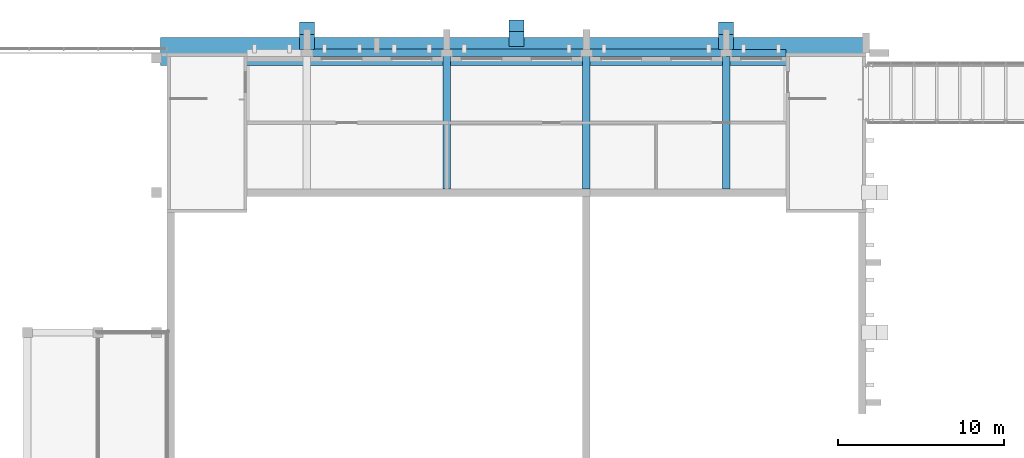
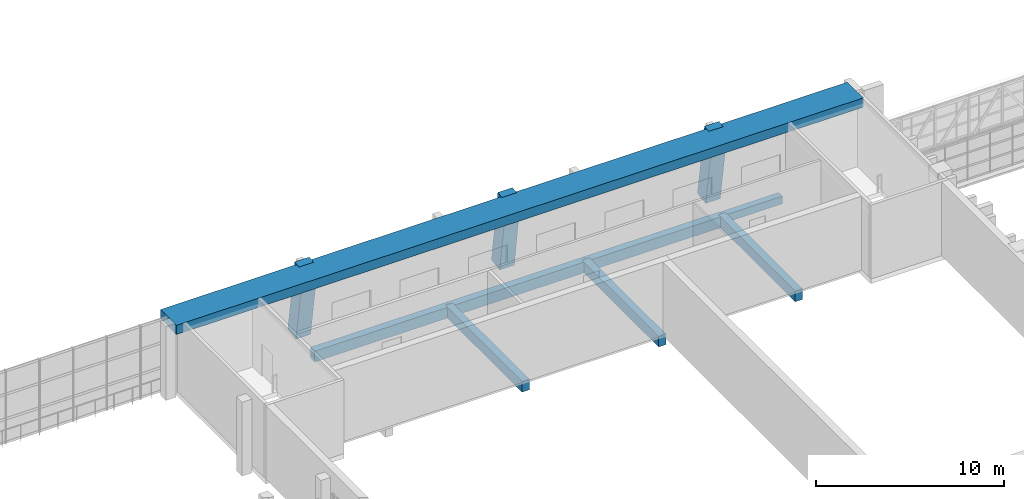
# One storey, part 20 of 86: 8 beams, 3 members.
"""IFC4 building model written with IfcOpenShell, lengths in metres."""

from ifc_helpers import new_model, si_unit, direction, frame, origin, origin_2d, place, context, subcontext, project, spatial, rectangle, extrude, material, material_profile, profile_set, type_object, element, save


model = new_model("IFC4")

# Units and contexts
model_context = context("Model", 3, precision=1e-05, world=origin(), true_north=direction((0.0, 1.0)))
body_context = subcontext(model_context, "Body", "Model", "MODEL_VIEW")
ifc_project = project(units=[si_unit("LENGTHUNIT", "METRE"), si_unit("AREAUNIT", "SQUARE_METRE"), si_unit("VOLUMEUNIT", "CUBIC_METRE"), si_unit("PLANEANGLEUNIT", "RADIAN"), si_unit("MASSUNIT", "GRAM", prefix="KILO")], contexts=[model_context])

# Site, building, storey
site_placement = place(None, origin())
site = spatial("IfcSite", under=ifc_project, at=site_placement, CompositionType="ELEMENT")
building_placement = place(site_placement, origin())
building = spatial("IfcBuilding", under=site, at=building_placement, Name="Kiln Court Media Centre", CompositionType="ELEMENT")
storey_placement = place(building_placement, frame((0.0, 0.0, 10.199951171875)))
storey = spatial("IfcBuildingStorey", under=building, at=storey_placement, Name="L02", CompositionType="ELEMENT", Elevation=10.199951171875)

# Beams
ifc_material_1 = material(Name="Concrete C30/37", Category="concrete")
ifc_material_profile_1 = material_profile(ifc_material_1, rectangle(XDim=0.39990234375, YDim=0.5, at=origin_2d()), Name="RC 400x500")
ifc_profile_set_1 = profile_set([ifc_material_profile_1], Name="Concrete C30/37")
beam_type_1 = type_object("IfcBeamType", Name="Concrete C30/37 beam 400x500", PredefinedType="BEAM", material=ifc_profile_set_1)
beam_1_placement = place(storey_placement, frame((92.39990234375, 67.199951171875, -0.550048828125), z_axis=(1.0, 0.0, 0.0), x_axis=(0.0, 1.0, 0.0)))
element("IfcBeam", 1, at=beam_1_placement, inside=storey, type_object=beam_type_1, Name="L02-B-1121", PredefinedType="BEAM", context=body_context, shape_type="SweptSolid", body=[
    extrude(rectangle(XDim=0.39990234375, YDim=0.5, at=origin_2d()), origin(), (0.0, 0.0, 1.0), 3.60009765625),
])
ifc_material_2 = material(Name="Concrete C30/37", Category="concrete")
ifc_material_profile_2 = material_profile(ifc_material_2, rectangle(XDim=0.449951171875, YDim=0.699951171875, at=origin_2d()), Name="RC 450x700")
ifc_profile_set_2 = profile_set([ifc_material_profile_2], Name="Concrete C30/37")
beam_type_2 = type_object("IfcBeamType", Name="Concrete C30/37 beam 450x700", PredefinedType="BEAM", material=ifc_profile_set_2)
for number, where, z_axis, x_axis, name in (
    (2, (75.60009765625, 59.02490234375, -0.64990234375), (0.0, 1.0, 0.0), (-1.0, 0.0, 0.0), "L02-B-1106"),
    (3, (84.0, 59.02490234375, -0.64990234375), (0.0, 1.0, 0.0), (-1.0, 0.0, 0.0), "L02-B-1108"),
    (4, (92.39990234375, 59.02490234375, -0.64990234375), (0.0, 1.0, 0.0), (-1.0, 0.0, 0.0), "L02-B-1110"),
):
    element("IfcBeam", number, at=place(storey_placement, frame(where, z_axis=z_axis, x_axis=x_axis)), inside=storey, type_object=beam_type_2, Name=name, PredefinedType="BEAM", context=body_context, shape_type="SweptSolid", body=[
        extrude(rectangle(XDim=0.449951171875, YDim=0.699951171875, at=origin_2d()), origin(), (0.0, 0.0, 1.0), 8.175048828125),
    ])
beam_2_placement = place(storey_placement, frame((67.199951171875, 67.199951171875, -0.64990234375), z_axis=(1.0, 0.0, 0.0), x_axis=(0.0, 1.0, 0.0)))
element("IfcBeam", 5, at=beam_2_placement, inside=storey, type_object=beam_type_2, Name="L02-B-1118", PredefinedType="BEAM", context=body_context, shape_type="SweptSolid", body=[
    extrude(rectangle(XDim=0.449951171875, YDim=0.699951171875, at=origin_2d()), origin(), (0.0, 0.0, 1.0), 8.400146484375),
])
for number, where, z_axis, x_axis, name in (
    (6, (75.60009765625, 67.199951171875, -0.64990234375), (1.0, 0.0, 0.0), (0.0, 1.0, 0.0), "L02-B-1119"),
    (7, (84.0, 67.199951171875, -0.64990234375), (1.0, 0.0, 0.0), (0.0, 1.0, 0.0), "L02-B-1120"),
):
    element("IfcBeam", number, at=place(storey_placement, frame(where, z_axis=z_axis, x_axis=x_axis)), inside=storey, type_object=beam_type_2, Name=name, PredefinedType="BEAM", context=body_context, shape_type="SweptSolid", body=[
        extrude(rectangle(XDim=0.449951171875, YDim=0.699951171875, at=origin_2d()), origin(), (0.0, 0.0, 1.0), 8.39990234375),
    ])
ifc_material_3 = material(Name="Concrete C40/50", Category="concrete")
ifc_material_profile_3 = material_profile(ifc_material_3, rectangle(XDim=1.699951171875, YDim=0.60009765625, at=origin_2d()), Name="RC 1700x600")
ifc_profile_set_3 = profile_set([ifc_material_profile_3], Name="Concrete C40/50")
beam_type_3 = type_object("IfcBeamType", Name="Concrete C40/50 gable rib base beam 1700x600", PredefinedType="BEAM", material=ifc_profile_set_3)
beam_3_placement = place(storey_placement, frame((58.39990234375, 67.2861328125, 4.5), z_axis=(1.0, 0.0, 0.0), x_axis=(0.0, 1.0, 0.0)))
element("IfcBeam", 8, at=beam_3_placement, inside=storey, type_object=beam_type_3, Name="V1 N gable rib base beam", PredefinedType="BEAM", context=body_context, shape_type="SweptSolid", body=[
    extrude(rectangle(XDim=1.699951171875, YDim=0.60009765625, at=origin_2d()), origin(), (0.0, 0.0, 1.0), 42.25),
])

# Members
ifc_material_4 = material(Name="Concrete C40/50", Category="concrete")
ifc_material_profile_4 = material_profile(ifc_material_4, rectangle(XDim=0.89990234375, YDim=0.89990234375, at=origin_2d()), Name="RC 900x900")
ifc_profile_set_4 = profile_set([ifc_material_profile_4], Name="Concrete C40/50")
member_type = type_object("IfcMemberType", Name="Concrete C40/50 raked column 900x900", PredefinedType="STRUT", material=ifc_profile_set_4)
member_1_placement = place(storey_placement, frame((67.199951171875, 68.610595703125, 0.0), z_axis=(0.0, -0.15393380801, 0.988081162026), x_axis=(1.0, 0.0, 0.0)))
element("IfcMember", 9, at=member_1_placement, inside=storey, type_object=member_type, Name="L02-M-1004", PredefinedType="STRUT", context=body_context, shape_type="SweptSolid", body=[
    extrude(rectangle(XDim=0.89990234375, YDim=0.89990234375, at=origin_2d()), origin(), (0.0, 0.0, 1.0), 4.85791015625),
])
member_2_placement = place(storey_placement, frame((79.800048828125, 68.73779296875, 0.0), z_axis=(0.0, -0.141928837719, 0.989876863566), x_axis=(1.0, 0.0, 0.0)))
element("IfcMember", 10, at=member_2_placement, inside=storey, type_object=member_type, Name="L02-M-1005", PredefinedType="STRUT", context=body_context, shape_type="SweptSolid", body=[
    extrude(rectangle(XDim=0.89990234375, YDim=0.89990234375, at=origin_2d()), origin(), (0.0, 0.0, 1.0), 4.84912109375),
])
member_3_placement = place(storey_placement, frame((92.39990234375, 68.610595703125, 0.0), z_axis=(0.0, -0.15393380801, 0.988081162026), x_axis=(1.0, 0.0, 0.0)))
element("IfcMember", 11, at=member_3_placement, inside=storey, type_object=member_type, Name="L02-M-1006", PredefinedType="STRUT", context=body_context, shape_type="SweptSolid", body=[
    extrude(rectangle(XDim=0.89990234375, YDim=0.89990234375, at=origin_2d()), origin(), (0.0, 0.0, 1.0), 4.85791015625),
])

save(model, "model.ifc")
